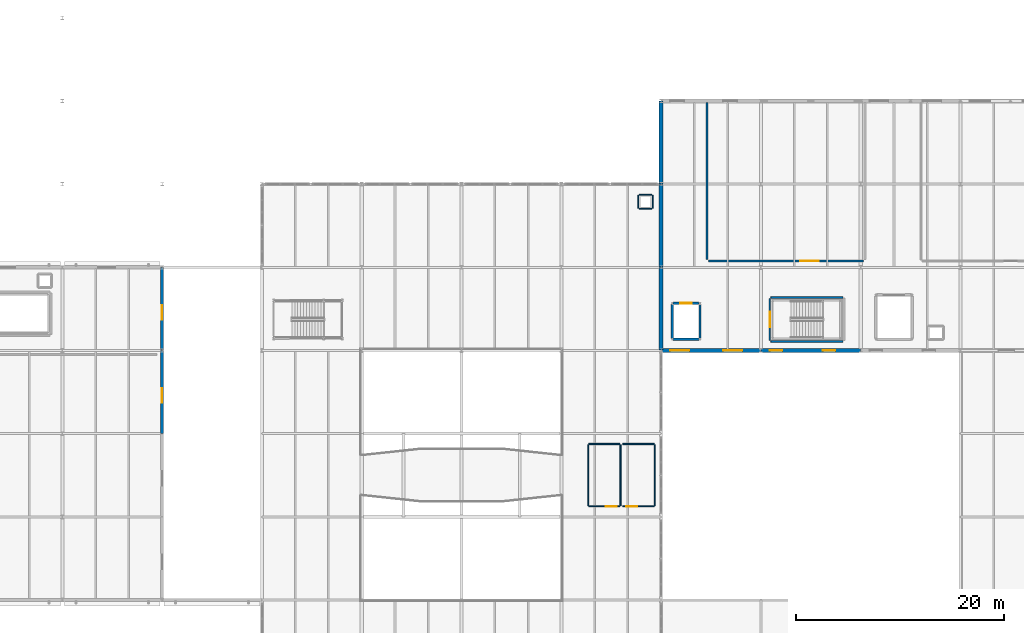
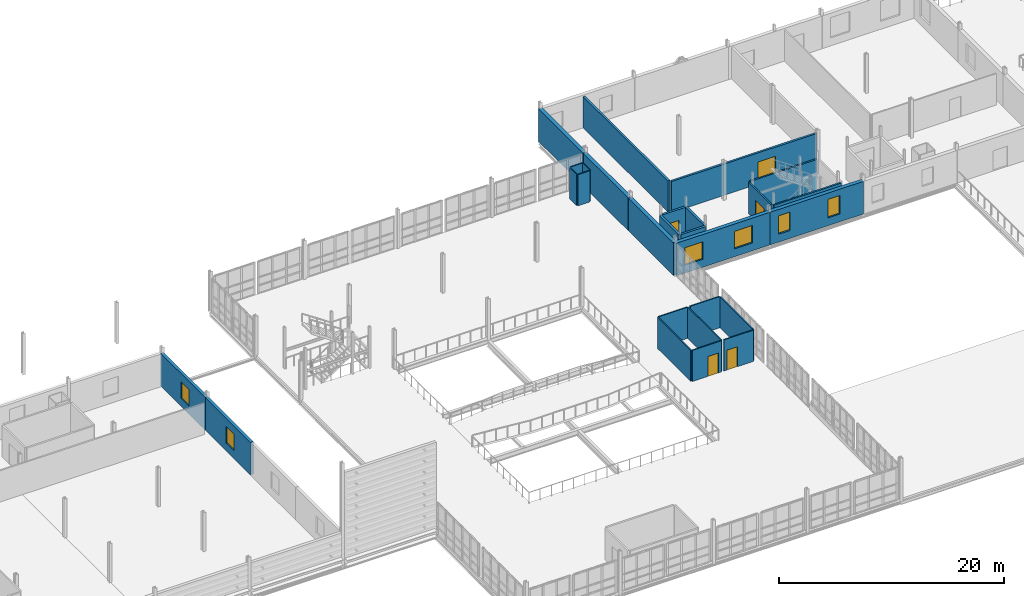
# One storey, part 62 of 73: 27 walls, 6 windows, 5 doors, 11 openings.
"""IFC4 building model written with IfcOpenShell, lengths in metres."""

from ifc_helpers import new_model, si_unit, direction, frame, frame_2d, origin, place, context, subcontext, project, spatial, rectangle, extrude, material, layer, layer_set, type_object, element, fill, save


model = new_model("IFC4")

# Units and contexts
model_context = context("Model", 3, precision=1e-05, world=origin(), true_north=direction((0.0, 1.0)))
body_context = subcontext(model_context, "Body", "Model", "MODEL_VIEW")
ifc_project = project(units=[si_unit("LENGTHUNIT", "METRE"), si_unit("AREAUNIT", "SQUARE_METRE"), si_unit("VOLUMEUNIT", "CUBIC_METRE"), si_unit("PLANEANGLEUNIT", "RADIAN"), si_unit("MASSUNIT", "GRAM", prefix="KILO")], contexts=[model_context])

# Site, building, storey
site_placement = place(None, origin())
site = spatial("IfcSite", under=ifc_project, at=site_placement, CompositionType="ELEMENT")
building_placement = place(site_placement, origin())
building = spatial("IfcBuilding", under=site, at=building_placement, Name="Alderhovde Museum", CompositionType="ELEMENT")
storey_placement = place(building_placement, frame((0.0, 0.0, 12.89990234375)))
storey = spatial("IfcBuildingStorey", under=building, at=storey_placement, Name="L03", CompositionType="ELEMENT", Elevation=12.89990234375)

# Wall, openings, windows
ifc_material_1 = material(Name="Fluted Jura Limestone Beaux-Arts Wall", Category="masonry")
ifc_layer_1 = layer(ifc_material_1, 0.3798828125)
ifc_layer_set_1 = layer_set([ifc_layer_1], Name="Fluted Jura Limestone Beaux-Arts Wall")
wall_type_1 = type_object("IfcWallType", Name="EW-LIME-380", PredefinedType="SOLIDWALL", material=ifc_layer_set_1)
wall_1_placement = place(storey_placement, frame((115.219970703125, 72.0, 0.0), z_axis=(0.0, 0.0, 1.0), x_axis=(1.0, 0.0, 0.0)))
wall_1 = element("IfcWall", 1, at=wall_1_placement, inside=storey, type_object=wall_type_1, Name="L03 Conservation South Beaux-Arts Wall 234", PredefinedType="SOLIDWALL", context=body_context, shape_type="SweptSolid", body=[
    extrude(rectangle(XDim=9.56005859375, YDim=0.3798828125, at=frame_2d((4.780029296875, 0.0))), origin(), (0.0, 0.0, 1.0), 3.5400390625),
])
opening_1_placement = place(wall_1_placement, frame((0.85009765625, 0.0, 0.85009765625)))
opening_1 = element("IfcOpeningElement", 2, at=opening_1_placement, cuts=wall_1, Name="Opening W27", PredefinedType="OPENING", context=body_context, shape_type="SweptSolid", body=[
    extrude(rectangle(XDim=1.85009765625, YDim=1.89990234375, at=frame_2d((0.925048828125, 0.949951171875))), frame((0.0, 0.199951171875, 0.0), z_axis=(0.0, -1.0, 0.0), x_axis=(1.0, 0.0, 0.0)), (0.0, 0.0, 1.0), 0.39990234375),
])
opening_2_placement = place(wall_1_placement, frame((5.949951171875, 0.0, 0.85009765625)))
opening_2 = element("IfcOpeningElement", 3, at=opening_2_placement, cuts=wall_1, Name="Opening W27", PredefinedType="OPENING", context=body_context, shape_type="SweptSolid", body=[
    extrude(rectangle(XDim=1.85009765625, YDim=1.89990234375, at=frame_2d((0.925048828125, 0.949951171875))), frame((0.0, 0.199951171875, 0.0), z_axis=(0.0, -1.0, 0.0), x_axis=(1.0, 0.0, 0.0)), (0.0, 0.0, 1.0), 0.39990234375),
])
ifc_material_2 = material(Name="Triple-Glazed Low-E Bronze-Anodised Aluminium", Category="aluminium")
window_type_1 = type_object("IfcWindowType", Name="WIN-LAB-1850x1900", PartitioningType="DOUBLE_PANEL_VERTICAL", PredefinedType="WINDOW", material=ifc_material_2)
window_1_placement = place(opening_1_placement, origin())
window_1 = element("IfcWindow", 4, at=window_1_placement, inside=storey, type_object=window_type_1, Name="L03 Facade Window 220", OverallHeight=1.89990234375, OverallWidth=1.85009765625, PartitioningType="SINGLE_PANEL", PredefinedType="WINDOW", context=body_context, shape_type="SweptSolid", body=[
    extrude(rectangle(XDim=1.85009765625, YDim=1.89990234375, at=frame_2d((0.925048828125, 0.949951171875))), frame((0.0, 0.030029296875, 0.0), z_axis=(0.0, -1.0, 0.0), x_axis=(1.0, 0.0, 0.0)), (0.0, 0.0, 1.0), 0.06005859375),
])
fill(opening_1, window_1)
window_2_placement = place(opening_2_placement, origin())
window_2 = element("IfcWindow", 5, at=window_2_placement, inside=storey, type_object=window_type_1, Name="L03 Facade Window 221", OverallHeight=1.89990234375, OverallWidth=1.85009765625, PartitioningType="SINGLE_PANEL", PredefinedType="WINDOW", context=body_context, shape_type="SweptSolid", body=[
    extrude(rectangle(XDim=1.85009765625, YDim=1.89990234375, at=frame_2d((0.925048828125, 0.949951171875))), frame((0.0, 0.030029296875, 0.0), z_axis=(0.0, -1.0, 0.0), x_axis=(1.0, 0.0, 0.0)), (0.0, 0.0, 1.0), 0.06005859375),
])
fill(opening_2, window_2)

wall_2_placement = place(storey_placement, frame((124.820068359375, 72.0, 0.0), z_axis=(0.0, 0.0, 1.0), x_axis=(1.0, 0.0, 0.0)))
wall_2 = element("IfcWall", 6, at=wall_2_placement, inside=storey, type_object=wall_type_1, Name="L03 Conservation South Beaux-Arts Wall 235", PredefinedType="SOLIDWALL", context=body_context, shape_type="SweptSolid", body=[
    extrude(rectangle(XDim=9.559814453125, YDim=0.3798828125, at=frame_2d((4.77978515625, 0.0))), origin(), (0.0, 0.0, 1.0), 3.5400390625),
])
opening_3_placement = place(wall_2_placement, frame((0.85009765625, 0.0, 0.85009765625)))
opening_3 = element("IfcOpeningElement", 7, at=opening_3_placement, cuts=wall_2, Name="Opening W18", PredefinedType="OPENING", context=body_context, shape_type="SweptSolid", body=[
    extrude(rectangle(XDim=1.199951171875, YDim=2.0, at=frame_2d((0.60009765625, 1.0))), frame((0.0, 0.199951171875, 0.0), z_axis=(0.0, -1.0, 0.0), x_axis=(1.0, 0.0, 0.0)), (0.0, 0.0, 1.0), 0.39990234375),
])
opening_4_placement = place(wall_2_placement, frame((5.949951171875, 0.0, 0.85009765625)))
opening_4 = element("IfcOpeningElement", 8, at=opening_4_placement, cuts=wall_2, Name="Opening W18", PredefinedType="OPENING", context=body_context, shape_type="SweptSolid", body=[
    extrude(rectangle(XDim=1.199951171875, YDim=2.0, at=frame_2d((0.60009765625, 1.0))), frame((0.0, 0.199951171875, 0.0), z_axis=(0.0, -1.0, 0.0), x_axis=(1.0, 0.0, 0.0)), (0.0, 0.0, 1.0), 0.39990234375),
])
ifc_material_3 = material(Name="Triple-Glazed Low-E Bronze-Anodised Aluminium", Category="aluminium")
window_type_2 = type_object("IfcWindowType", Name="WIN-LAB-1200x2000", PartitioningType="SINGLE_PANEL", PredefinedType="WINDOW", material=ifc_material_3)
window_3_placement = place(opening_3_placement, origin())
window_3 = element("IfcWindow", 9, at=window_3_placement, inside=storey, type_object=window_type_2, Name="L03 Facade Window 222", OverallHeight=2.0, OverallWidth=1.199951171875, PartitioningType="SINGLE_PANEL", PredefinedType="WINDOW", context=body_context, shape_type="SweptSolid", body=[
    extrude(rectangle(XDim=1.199951171875, YDim=2.0, at=frame_2d((0.60009765625, 1.0))), frame((0.0, 0.030029296875, 0.0), z_axis=(0.0, -1.0, 0.0), x_axis=(1.0, 0.0, 0.0)), (0.0, 0.0, 1.0), 0.06005859375),
])
fill(opening_3, window_3)
window_4_placement = place(opening_4_placement, origin())
window_4 = element("IfcWindow", 10, at=window_4_placement, inside=storey, type_object=window_type_2, Name="L03 Facade Window 223", OverallHeight=2.0, OverallWidth=1.199951171875, PartitioningType="SINGLE_PANEL", PredefinedType="WINDOW", context=body_context, shape_type="SweptSolid", body=[
    extrude(rectangle(XDim=1.199951171875, YDim=2.0, at=frame_2d((0.60009765625, 1.0))), frame((0.0, 0.030029296875, 0.0), z_axis=(0.0, -1.0, 0.0), x_axis=(1.0, 0.0, 0.0)), (0.0, 0.0, 1.0), 0.06005859375),
])
fill(opening_4, window_4)

# Walls
for number, where, z_axis, x_axis, name in (
    (11, (115.199951171875, 88.02001953125, 0.0), (0.0, 0.0, 1.0), (0.0, 1.0, 0.0), "L03 Conservation West Return Wall 245"),
    (12, (115.199951171875, 72.02001953125, 0.0), (0.0, 0.0, 1.0), (0.0, 1.0, 0.0), "L03 Conservation West Court Wall 246"),
    (13, (115.199951171875, 80.02001953125, 0.0), (0.0, 0.0, 1.0), (0.0, 1.0, 0.0), "L03 Conservation West Court Wall 247"),
):
    element("IfcWall", number, at=place(storey_placement, frame(where, z_axis=z_axis, x_axis=x_axis)), inside=storey, type_object=wall_type_1, Name=name, PredefinedType="SOLIDWALL", context=body_context, shape_type="SweptSolid", body=[
        extrude(rectangle(XDim=7.9599609375, YDim=0.3798828125, at=frame_2d((3.97998046875, 0.0))), origin(), (0.0, 0.0, 1.0), 3.5400390625),
    ])

# Wall, opening, window
ifc_material_4 = material(Name="Insulated Zinc-Clad Backing Wall")
ifc_layer_2 = layer(ifc_material_4, 0.300048828125)
ifc_layer_set_2 = layer_set([ifc_layer_2], Name="Insulated Zinc-Clad Backing Wall")
wall_type_2 = type_object("IfcWallType", Name="EW-ZINC-300", PredefinedType="SOLIDWALL", material=ifc_layer_set_2)
wall_3_placement = place(storey_placement, frame((67.199951171875, 64.02001953125, 0.0), z_axis=(0.0, 0.0, 1.0), x_axis=(0.0, 1.0, 0.0)))
wall_3 = element("IfcWall", 14, at=wall_3_placement, inside=storey, type_object=wall_type_2, Name="L03 Folded Wing East Step Wall 49", PredefinedType="SOLIDWALL", context=body_context, shape_type="SweptSolid", body=[
    extrude(rectangle(XDim=7.9599609375, YDim=0.300048828125, at=frame_2d((3.97998046875, 0.0))), origin(), (0.0, 0.0, 1.0), 3.5400390625),
])
opening_5_placement = place(wall_3_placement, frame((2.949951171875, 0.0, 0.85009765625)))
opening_5 = element("IfcOpeningElement", 15, at=opening_5_placement, cuts=wall_3, Name="Opening W11", PredefinedType="OPENING", context=body_context, shape_type="SweptSolid", body=[
    extrude(rectangle(XDim=1.39990234375, YDim=1.800048828125, at=frame_2d((0.699951171875, 0.89990234375))), frame((0.0, 0.159912109375, 0.0), z_axis=(0.0, -1.0, 0.0), x_axis=(1.0, 0.0, 0.0)), (0.0, 0.0, 1.0), 0.320068359375),
])
ifc_material_5 = material(Name="Triple-Glazed Low-E Bronze-Anodised Aluminium", Category="aluminium")
window_type_3 = type_object("IfcWindowType", Name="WIN-ATT-1400x1800", PartitioningType="SINGLE_PANEL", PredefinedType="WINDOW", material=ifc_material_5)
window_5_placement = place(opening_5_placement, origin())
window_5 = element("IfcWindow", 16, at=window_5_placement, inside=storey, type_object=window_type_3, Name="L03 Facade Window 35", OverallHeight=1.800048828125, OverallWidth=1.39990234375, PartitioningType="SINGLE_PANEL", PredefinedType="WINDOW", context=body_context, shape_type="SweptSolid", body=[
    extrude(rectangle(XDim=1.39990234375, YDim=1.800048828125, at=frame_2d((0.699951171875, 0.89990234375))), frame((0.0, 0.030029296875, 0.0), z_axis=(0.0, -1.0, 0.0), x_axis=(1.0, 0.0, 0.0)), (0.0, 0.0, 1.0), 0.06005859375),
])
fill(opening_5, window_5)

wall_4_placement = place(storey_placement, frame((67.199951171875, 72.02001953125, 0.0), z_axis=(0.0, 0.0, 1.0), x_axis=(0.0, 1.0, 0.0)))
wall_4 = element("IfcWall", 17, at=wall_4_placement, inside=storey, type_object=wall_type_2, Name="L03 Folded Wing East Step Wall 50", PredefinedType="SOLIDWALL", context=body_context, shape_type="SweptSolid", body=[
    extrude(rectangle(XDim=7.9599609375, YDim=0.300048828125, at=frame_2d((3.97998046875, 0.0))), origin(), (0.0, 0.0, 1.0), 3.5400390625),
])
opening_6_placement = place(wall_4_placement, frame((2.949951171875, 0.0, 0.85009765625)))
opening_6 = element("IfcOpeningElement", 18, at=opening_6_placement, cuts=wall_4, Name="Opening W11", PredefinedType="OPENING", context=body_context, shape_type="SweptSolid", body=[
    extrude(rectangle(XDim=1.39990234375, YDim=1.800048828125, at=frame_2d((0.699951171875, 0.89990234375))), frame((0.0, 0.159912109375, 0.0), z_axis=(0.0, -1.0, 0.0), x_axis=(1.0, 0.0, 0.0)), (0.0, 0.0, 1.0), 0.320068359375),
])
window_6_placement = place(opening_6_placement, origin())
window_6 = element("IfcWindow", 19, at=window_6_placement, inside=storey, type_object=window_type_3, Name="L03 Facade Window 36", OverallHeight=1.800048828125, OverallWidth=1.39990234375, PartitioningType="SINGLE_PANEL", PredefinedType="WINDOW", context=body_context, shape_type="SweptSolid", body=[
    extrude(rectangle(XDim=1.39990234375, YDim=1.800048828125, at=frame_2d((0.699951171875, 0.89990234375))), frame((0.0, 0.030029296875, 0.0), z_axis=(0.0, -1.0, 0.0), x_axis=(1.0, 0.0, 0.0)), (0.0, 0.0, 1.0), 0.06005859375),
])
fill(opening_6, window_6)

# Wall, opening, door
ifc_material_6 = material(Name="Fire-Resisting Masonry Compartment Wall", Category="masonry")
ifc_layer_3 = layer(ifc_material_6, 0.2099609375)
ifc_layer_set_3 = layer_set([ifc_layer_3], Name="Fire-Resisting Masonry Compartment Wall")
wall_type_3 = type_object("IfcWallType", Name="IW-FIRE-210", PredefinedType="SOLIDWALL", material=ifc_layer_set_3)
wall_5_placement = place(storey_placement, frame((119.739990234375, 80.60009765625, 0.0), z_axis=(0.0, 0.0, 1.0), x_axis=(1.0, 0.0, 0.0)))
wall_5 = element("IfcWall", 20, at=wall_5_placement, inside=storey, type_object=wall_type_3, Name="L03 Rare Specimen Collection Archive Partition Wall S", PredefinedType="SOLIDWALL", context=body_context, shape_type="SweptSolid", body=[
    extrude(rectangle(XDim=14.919921875, YDim=0.2099609375, at=frame_2d((7.4599609375, 0.0))), origin(), (0.0, 0.0, 1.0), 3.380126953125),
])
opening_7_placement = place(wall_5_placement, frame((8.843017578125, 0.0, 0.0)))
opening_7 = element("IfcOpeningElement", 21, at=opening_7_placement, cuts=wall_5, Name="Opening FD-2", PredefinedType="OPENING", context=body_context, shape_type="SweptSolid", body=[
    extrude(rectangle(XDim=1.800048828125, YDim=2.39990234375, at=frame_2d((0.89990234375, 1.199951171875))), frame((0.0, 0.114990234375, 0.0), z_axis=(0.0, -1.0, 0.0), x_axis=(1.0, 0.0, 0.0)), (0.0, 0.0, 1.0), 0.22998046875),
])
ifc_material_7 = material(Name="Fire-Rated Double Archive Vault Door (Steel/Oak)", Category="steel")
door_type_1 = type_object("IfcDoorType", Name="FD-ARCH-1800x2400", OperationType="NOTDEFINED", PredefinedType="DOOR", material=ifc_material_7)
door_1_placement = place(opening_7_placement, origin())
door_1 = element("IfcDoor", 22, at=door_1_placement, inside=storey, type_object=door_type_1, Name="L03 Rare Specimen Collection Archive Door", OperationType="DOUBLE_DOOR_SINGLE_SWING", OverallHeight=2.39990234375, OverallWidth=1.800048828125, PredefinedType="DOOR", context=body_context, shape_type="SweptSolid", body=[
    extrude(rectangle(XDim=1.800048828125, YDim=2.39990234375, at=frame_2d((0.89990234375, 1.199951171875))), frame((0.0, 0.02490234375, 0.0), z_axis=(0.0, -1.0, 0.0), x_axis=(1.0, 0.0, 0.0)), (0.0, 0.0, 1.0), 0.050048828125),
])
fill(opening_7, door_1)

# Walls
wall_6_placement = place(storey_placement, frame((119.60009765625, 80.739990234375, 0.0), z_axis=(0.0, 0.0, 1.0), x_axis=(0.0, 1.0, 0.0)))
element("IfcWall", 23, at=wall_6_placement, inside=storey, type_object=wall_type_3, Name="L03 Rare Specimen Collection Archive Partition Wall W", PredefinedType="SOLIDWALL", context=body_context, shape_type="SweptSolid", body=[
    extrude(rectangle(XDim=15.090087890625, YDim=0.2099609375, at=frame_2d((7.544921875, 0.0))), origin(), (0.0, 0.0, 1.0), 3.380126953125),
])
ifc_material_8 = material(Name="Acoustic Service Riser Lining Wall")
ifc_layer_4 = layer(ifc_material_8, 0.10009765625)
ifc_layer_set_4 = layer_set([ifc_layer_4], Name="Acoustic Service Riser Lining Wall")
wall_type_4 = type_object("IfcWallType", Name="IW-LIN-100", PredefinedType="PARTITIONING", material=ifc_layer_set_4)
for number, where, z_axis, x_axis, name in (
    (24, (113.080078125, 86.97998046875, 0.0), (0.0, 0.0, 1.0), (1.0, 0.0, 0.0), "L03 Service Riser RSR-V2 Shaft Wall N"),
    (25, (113.080078125, 85.6201171875, 0.0), (0.0, 0.0, 1.0), (1.0, 0.0, 0.0), "L03 Service Riser RSR-V2 Shaft Wall S"),
    (26, (113.02001953125, 85.679931640625, 0.0), (0.0, 0.0, 1.0), (0.0, 1.0, 0.0), "L03 Service Riser RSR-V2 Shaft Wall W"),
    (27, (114.3798828125, 85.679931640625, 0.0), (0.0, 0.0, 1.0), (0.0, 1.0, 0.0), "L03 Service Riser RSR-V2 Shaft Wall E"),
):
    element("IfcWall", number, at=place(storey_placement, frame(where, z_axis=z_axis, x_axis=x_axis)), inside=storey, type_object=wall_type_4, Name=name, PredefinedType="PARTITIONING", context=body_context, shape_type="SweptSolid", body=[
        extrude(rectangle(XDim=1.239990234375, YDim=0.10009765625, at=frame_2d((0.6201171875, 0.0))), origin(), (0.0, 0.0, 1.0), 3.380126953125),
    ])
ifc_material_9 = material(Name="Concrete C40/50 and Fireboard Shaft Wall", Category="concrete")
ifc_layer_5 = layer(ifc_material_9, 0.22998046875)
ifc_layer_set_5 = layer_set([ifc_layer_5], Name="Concrete C40/50 and Fireboard Shaft Wall")
wall_type_5 = type_object("IfcWallType", Name="IW-SHAFT-230", PredefinedType="SOLIDWALL", material=ifc_layer_set_5)
wall_7_placement = place(storey_placement, frame((116.340087890625, 73.06005859375, 0.0), z_axis=(0.0, 0.0, 1.0), x_axis=(1.0, 0.0, 0.0)))
element("IfcWall", 28, at=wall_7_placement, inside=storey, type_object=wall_type_5, Name="L03 Passenger Lift PL-03 Shaft Wall South", PredefinedType="SOLIDWALL", context=body_context, shape_type="SweptSolid", body=[
    extrude(rectangle(XDim=2.52001953125, YDim=0.22998046875, at=frame_2d((1.260009765625, 0.0))), origin(), (0.0, 0.0, 1.0), 3.380126953125),
])

# Wall, opening, door
wall_8_placement = place(storey_placement, frame((116.340087890625, 76.5400390625, 0.0), z_axis=(0.0, 0.0, 1.0), x_axis=(1.0, 0.0, 0.0)))
wall_8 = element("IfcWall", 29, at=wall_8_placement, inside=storey, type_object=wall_type_5, Name="L03 Passenger Lift PL-03 Shaft Wall North", PredefinedType="SOLIDWALL", context=body_context, shape_type="SweptSolid", body=[
    extrude(rectangle(XDim=2.52001953125, YDim=0.22998046875, at=frame_2d((1.260009765625, 0.0))), origin(), (0.0, 0.0, 1.0), 3.380126953125),
])
opening_8_placement = place(wall_8_placement, frame((0.7099609375, 0.0, 0.0)))
opening_8 = element("IfcOpeningElement", 30, at=opening_8_placement, cuts=wall_8, Name="Opening LD-1", PredefinedType="OPENING", context=body_context, shape_type="SweptSolid", body=[
    extrude(rectangle(XDim=1.10009765625, YDim=2.199951171875, at=frame_2d((0.550048828125, 1.10009765625))), frame((0.0, 0.125, 0.0), z_axis=(0.0, -1.0, 0.0), x_axis=(1.0, 0.0, 0.0)), (0.0, 0.0, 1.0), 0.25),
])
ifc_material_10 = material(Name="Passenger Lift Sliding Landing Door (Steel/Oak)", Category="steel")
door_type_2 = type_object("IfcDoorType", Name="LD-PASS-1100x2200", OperationType="SLIDING_TO_LEFT", PredefinedType="DOOR", material=ifc_material_10)
door_2_placement = place(opening_8_placement, origin())
door_2 = element("IfcDoor", 31, at=door_2_placement, inside=storey, type_object=door_type_2, Name="L03 Passenger Lift PL-03 Landing Door", OperationType="SLIDING_TO_LEFT", OverallHeight=2.199951171875, OverallWidth=1.10009765625, PredefinedType="DOOR", context=body_context, shape_type="SweptSolid", body=[
    extrude(rectangle(XDim=1.10009765625, YDim=2.199951171875, at=frame_2d((0.550048828125, 1.10009765625))), frame((0.0, 0.02490234375, 0.0), z_axis=(0.0, -1.0, 0.0), x_axis=(1.0, 0.0, 0.0)), (0.0, 0.0, 1.0), 0.050048828125),
])
fill(opening_8, door_2)

# Walls
for number, where, z_axis, x_axis, name in (
    (32, (116.260009765625, 73.139892578125, 0.0), (0.0, 0.0, 1.0), (0.0, 1.0, 0.0), "L03 Passenger Lift PL-03 Shaft Wall West"),
    (33, (118.93994140625, 73.139892578125, 0.0), (0.0, 0.0, 1.0), (0.0, 1.0, 0.0), "L03 Passenger Lift PL-03 Shaft Wall East"),
):
    element("IfcWall", number, at=place(storey_placement, frame(where, z_axis=z_axis, x_axis=x_axis)), inside=storey, type_object=wall_type_5, Name=name, PredefinedType="SOLIDWALL", context=body_context, shape_type="SweptSolid", body=[
        extrude(rectangle(XDim=3.320068359375, YDim=0.22998046875, at=frame_2d((1.66015625, 0.0))), origin(), (0.0, 0.0, 1.0), 3.380126953125),
    ])

# Wall, opening, door
ifc_material_11 = material(Name="Fire-Resisting Stair Lobby Wall")
ifc_layer_6 = layer(ifc_material_11, 0.169921875)
ifc_layer_set_6 = layer_set([ifc_layer_6], Name="Fire-Resisting Stair Lobby Wall")
wall_type_6 = type_object("IfcWallType", Name="IW-STAIR-170", PredefinedType="SOLIDWALL", material=ifc_layer_set_6)
wall_9_placement = place(storey_placement, frame((125.659912109375, 72.9599609375, 0.0), z_axis=(0.0, 0.0, 1.0), x_axis=(0.0, 1.0, 0.0)))
wall_9 = element("IfcWall", 34, at=wall_9_placement, inside=storey, type_object=wall_type_6, Name="L03 Escape Stair ST4 Fire Wall W", PredefinedType="SOLIDWALL", context=body_context, shape_type="SweptSolid", body=[
    extrude(rectangle(XDim=4.0400390625, YDim=0.169921875, at=frame_2d((2.02001953125, 0.0))), origin(), (0.0, 0.0, 1.0), 3.380126953125),
])
opening_9_placement = place(wall_9_placement, frame((1.27001953125, 0.0, 0.0)))
opening_9 = element("IfcOpeningElement", 35, at=opening_9_placement, cuts=wall_9, Name="Opening FD-1", PredefinedType="OPENING", context=body_context, shape_type="SweptSolid", body=[
    extrude(rectangle(XDim=1.5, YDim=2.199951171875, at=frame_2d((0.75, 1.10009765625))), frame((0.0, 0.094970703125, 0.0), z_axis=(0.0, -1.0, 0.0), x_axis=(1.0, 0.0, 0.0)), (0.0, 0.0, 1.0), 0.18994140625),
])
ifc_material_12 = material(Name="Fire-Rated Steel Stair Escape Door (Steel/Oak)", Category="steel")
door_type_3 = type_object("IfcDoorType", Name="FD-STAIR-1500x2200", OperationType="NOTDEFINED", PredefinedType="DOOR", material=ifc_material_12)
door_3_placement = place(opening_9_placement, origin())
door_3 = element("IfcDoor", 36, at=door_3_placement, inside=storey, type_object=door_type_3, Name="L03 Escape Stair ST4 Fire Door", OperationType="SINGLE_SWING_RIGHT", OverallHeight=2.199951171875, OverallWidth=1.5, PredefinedType="DOOR", context=body_context, shape_type="SweptSolid", body=[
    extrude(rectangle(XDim=1.5, YDim=2.199951171875, at=frame_2d((0.75, 1.10009765625))), frame((0.0, 0.02490234375, 0.0), z_axis=(0.0, -1.0, 0.0), x_axis=(1.0, 0.0, 0.0)), (0.0, 0.0, 1.0), 0.050048828125),
])
fill(opening_9, door_3)

# Walls
for number, where, z_axis, x_axis, name in (
    (37, (125.760009765625, 72.860107421875, 0.0), (0.0, 0.0, 1.0), (1.0, 0.0, 0.0), "L03 Escape Stair ST4 Fire Wall S"),
    (38, (125.760009765625, 77.10009765625, 0.0), (0.0, 0.0, 1.0), (1.0, 0.0, 0.0), "L03 Escape Stair ST4 Fire Wall N"),
):
    element("IfcWall", number, at=place(storey_placement, frame(where, z_axis=z_axis, x_axis=x_axis)), inside=storey, type_object=wall_type_6, Name=name, PredefinedType="SOLIDWALL", context=body_context, shape_type="SweptSolid", body=[
        extrude(rectangle(XDim=6.919921875, YDim=0.169921875, at=frame_2d((3.4599609375, 0.0))), origin(), (0.0, 0.0, 1.0), 3.380126953125),
    ])
ifc_material_13 = material(Name="Moisture-Resistant Sanitary Partition")
ifc_layer_7 = layer(ifc_material_13, 0.114990234375)
ifc_layer_set_7 = layer_set([ifc_layer_7], Name="Moisture-Resistant Sanitary Partition")
wall_type_7 = type_object("IfcWallType", Name="IW-WC-115", PredefinedType="PARTITIONING", material=ifc_layer_set_7)
wall_10_placement = place(storey_placement, frame((108.260009765625, 63.0, 0.0), z_axis=(0.0, 0.0, 1.0), x_axis=(1.0, 0.0, 0.0)))
element("IfcWall", 39, at=wall_10_placement, inside=storey, type_object=wall_type_7, Name="L03 Public WC Partition Wall N", PredefinedType="PARTITIONING", context=body_context, shape_type="SweptSolid", body=[
    extrude(rectangle(XDim=2.97998046875, YDim=0.114990234375, at=frame_2d((1.489990234375, 0.0))), origin(), (0.0, 0.0, 1.0), 3.380126953125),
])

# Wall, opening, door
wall_11_placement = place(storey_placement, frame((108.260009765625, 57.0, 0.0), z_axis=(0.0, 0.0, 1.0), x_axis=(1.0, 0.0, 0.0)))
wall_11 = element("IfcWall", 40, at=wall_11_placement, inside=storey, type_object=wall_type_7, Name="L03 Public WC Partition Wall S", PredefinedType="PARTITIONING", context=body_context, shape_type="SweptSolid", body=[
    extrude(rectangle(XDim=2.97998046875, YDim=0.114990234375, at=frame_2d((1.489990234375, 0.0))), origin(), (0.0, 0.0, 1.0), 3.380126953125),
])
opening_10_placement = place(wall_11_placement, frame((1.610107421875, 0.0, 0.0)))
opening_10 = element("IfcOpeningElement", 41, at=opening_10_placement, cuts=wall_11, Name="Opening D09", PredefinedType="OPENING", context=body_context, shape_type="SweptSolid", body=[
    extrude(rectangle(XDim=1.050048828125, YDim=2.14990234375, at=frame_2d((0.52490234375, 1.074951171875))), frame((0.0, 0.0673828125, 0.0), z_axis=(0.0, -1.0, 0.0), x_axis=(1.0, 0.0, 0.0)), (0.0, 0.0, 1.0), 0.135009765625),
])
ifc_material_14 = material(Name="Accessible Sanitary Room Door (Steel/Oak)", Category="steel")
door_type_4 = type_object("IfcDoorType", Name="ID-WC-1050x2150", OperationType="NOTDEFINED", PredefinedType="DOOR", material=ifc_material_14)
door_4_placement = place(opening_10_placement, origin())
door_4 = element("IfcDoor", 42, at=door_4_placement, inside=storey, type_object=door_type_4, Name="L03 Public WC Door", OperationType="SINGLE_SWING_RIGHT", OverallHeight=2.14990234375, OverallWidth=1.050048828125, PredefinedType="DOOR", context=body_context, shape_type="SweptSolid", body=[
    extrude(rectangle(XDim=1.050048828125, YDim=2.14990234375, at=frame_2d((0.52490234375, 1.074951171875))), frame((0.0, 0.02490234375, 0.0), z_axis=(0.0, -1.0, 0.0), x_axis=(1.0, 0.0, 0.0)), (0.0, 0.0, 1.0), 0.050048828125),
])
fill(opening_10, door_4)

# Walls
for number, where, z_axis, x_axis, name in (
    (43, (108.199951171875, 57.06005859375, 0.0), (0.0, 0.0, 1.0), (0.0, 1.0, 0.0), "L03 Public WC Partition Wall W"),
    (44, (111.300048828125, 57.06005859375, 0.0), (0.0, 0.0, 1.0), (0.0, 1.0, 0.0), "L03 Public WC Partition Wall E"),
):
    element("IfcWall", number, at=place(storey_placement, frame(where, z_axis=z_axis, x_axis=x_axis)), inside=storey, type_object=wall_type_7, Name=name, PredefinedType="PARTITIONING", context=body_context, shape_type="SweptSolid", body=[
        extrude(rectangle(XDim=5.8798828125, YDim=0.114990234375, at=frame_2d((2.93994140625, 0.0))), origin(), (0.0, 0.0, 1.0), 3.380126953125),
    ])
wall_12_placement = place(storey_placement, frame((111.510009765625, 63.0, 0.0), z_axis=(0.0, 0.0, 1.0), x_axis=(1.0, 0.0, 0.0)))
element("IfcWall", 45, at=wall_12_placement, inside=storey, type_object=wall_type_7, Name="L03 Accessible WC Partition Wall N", PredefinedType="PARTITIONING", context=body_context, shape_type="SweptSolid", body=[
    extrude(rectangle(XDim=3.030029296875, YDim=0.114990234375, at=frame_2d((1.51513671875, 0.0))), origin(), (0.0, 0.0, 1.0), 3.380126953125),
])

# Wall, opening, door
wall_13_placement = place(storey_placement, frame((111.510009765625, 57.0, 0.0), z_axis=(0.0, 0.0, 1.0), x_axis=(1.0, 0.0, 0.0)))
wall_13 = element("IfcWall", 46, at=wall_13_placement, inside=storey, type_object=wall_type_7, Name="L03 Accessible WC Partition Wall S", PredefinedType="PARTITIONING", context=body_context, shape_type="SweptSolid", body=[
    extrude(rectangle(XDim=3.030029296875, YDim=0.114990234375, at=frame_2d((1.51513671875, 0.0))), origin(), (0.0, 0.0, 1.0), 3.380126953125),
])
opening_11_placement = place(wall_13_placement, frame((0.320068359375, 0.0, 0.0)))
opening_11 = element("IfcOpeningElement", 47, at=opening_11_placement, cuts=wall_13, Name="Opening D09", PredefinedType="OPENING", context=body_context, shape_type="SweptSolid", body=[
    extrude(rectangle(XDim=1.050048828125, YDim=2.14990234375, at=frame_2d((0.52490234375, 1.074951171875))), frame((0.0, 0.0673828125, 0.0), z_axis=(0.0, -1.0, 0.0), x_axis=(1.0, 0.0, 0.0)), (0.0, 0.0, 1.0), 0.135009765625),
])
door_5_placement = place(opening_11_placement, origin())
door_5 = element("IfcDoor", 48, at=door_5_placement, inside=storey, type_object=door_type_4, Name="L03 Accessible WC Door", OperationType="SINGLE_SWING_LEFT", OverallHeight=2.14990234375, OverallWidth=1.050048828125, PredefinedType="DOOR", context=body_context, shape_type="SweptSolid", body=[
    extrude(rectangle(XDim=1.050048828125, YDim=2.14990234375, at=frame_2d((0.52490234375, 1.074951171875))), frame((0.0, 0.02490234375, 0.0), z_axis=(0.0, -1.0, 0.0), x_axis=(1.0, 0.0, 0.0)), (0.0, 0.0, 1.0), 0.050048828125),
])
fill(opening_11, door_5)

# Wall
wall_14_placement = place(storey_placement, frame((114.60009765625, 57.06005859375, 0.0), z_axis=(0.0, 0.0, 1.0), x_axis=(0.0, 1.0, 0.0)))
element("IfcWall", 49, at=wall_14_placement, inside=storey, type_object=wall_type_7, Name="L03 Accessible WC Partition Wall E", PredefinedType="PARTITIONING", context=body_context, shape_type="SweptSolid", body=[
    extrude(rectangle(XDim=5.8798828125, YDim=0.114990234375, at=frame_2d((2.93994140625, 0.0))), origin(), (0.0, 0.0, 1.0), 3.380126953125),
])

save(model, "model.ifc")
